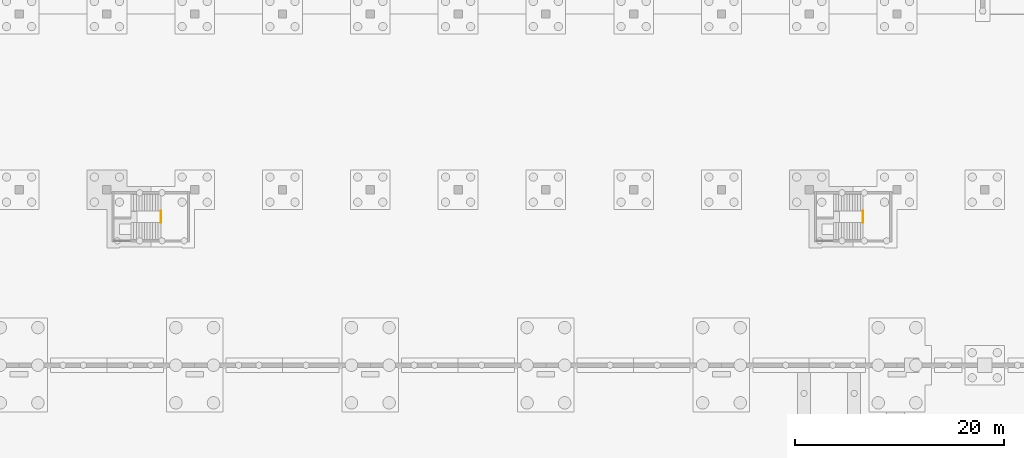
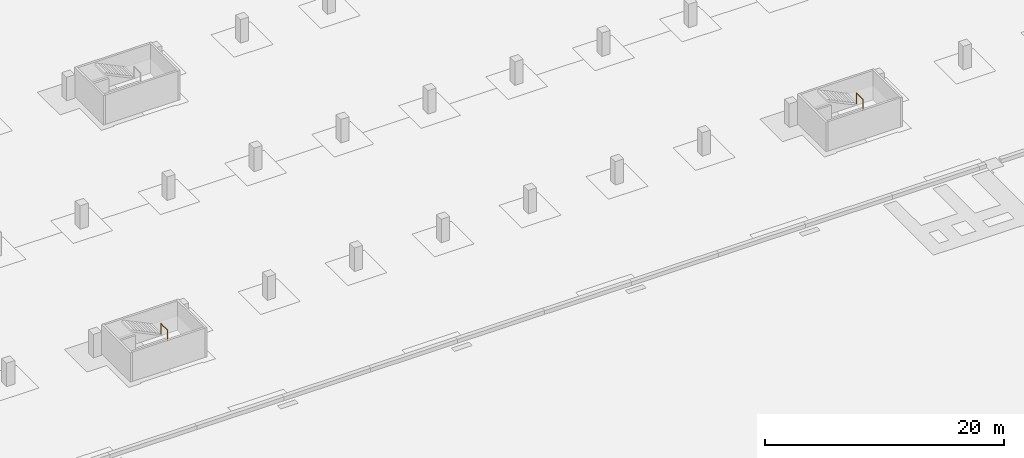
# One storey, part 61 of 67: 2 railings.
"""IFC4 building model written with IfcOpenShell, lengths in metres."""

from ifc_helpers import new_model, si_unit, direction, frame, origin, origin_2d, place, context, subcontext, project, spatial, circle, extrude, material, type_object, element, save


model = new_model("IFC4")

# Units and contexts
model_context = context("Model", 3, precision=1e-05, world=origin(), true_north=direction((0.0, 1.0)))
body_context = subcontext(model_context, "Body", "Model", "MODEL_VIEW")
ifc_project = project(units=[si_unit("LENGTHUNIT", "METRE"), si_unit("AREAUNIT", "SQUARE_METRE"), si_unit("VOLUMEUNIT", "CUBIC_METRE"), si_unit("PLANEANGLEUNIT", "RADIAN"), si_unit("MASSUNIT", "GRAM", prefix="KILO")], contexts=[model_context])

# Site, building, storey
site_placement = place(None, origin())
site = spatial("IfcSite", under=ifc_project, at=site_placement, CompositionType="ELEMENT")
building_placement = place(site_placement, origin())
building = spatial("IfcBuilding", under=site, at=building_placement, Name="Rain Tree Exposition and Congress Centre", CompositionType="ELEMENT")
storey_placement = place(building_placement, frame((0.0, 0.0, -3.0)))
storey = spatial("IfcBuildingStorey", under=building, at=storey_placement, Name="B1", CompositionType="ELEMENT", Elevation=-3.0)

# Railings
ifc_material = material(Name="Stainless steel", Category="steel")
railing_type = type_object("IfcRailingType", Name="Guard 1100 stainless", PredefinedType="GUARDRAIL", material=ifc_material)
for number, where, name in (
    (1, (173.159912109375, 215.25, 1.5), "Exit stair N03 well guard"),
    (2, (240.360107421875, 215.25, 1.5), "Exit stair N04 well guard"),
):
    element("IfcRailing", number, at=place(storey_placement, frame(where)), inside=storey, type_object=railing_type, Name=name, PredefinedType="GUARDRAIL", context=body_context, shape_type="SweptSolid", body=[
        extrude(circle(Radius=0.02490234375, at=origin_2d()), frame((0.0, 0.0, 1.0751953125), z_axis=(0.0, 1.0, 0.0), x_axis=(-1.0, 0.0, 0.0)), (0.0, 0.0, 1.0), 1.10009765625),
        extrude(circle(Radius=0.02490234375, at=origin_2d()), origin(), (0.0, 0.0, 1.0), 1.050048828125),
        extrude(circle(Radius=0.02490234375, at=origin_2d()), frame((0.0, 1.10009765625, 0.0)), (0.0, 0.0, 1.0), 1.050048828125),
    ])

save(model, "model.ifc")
